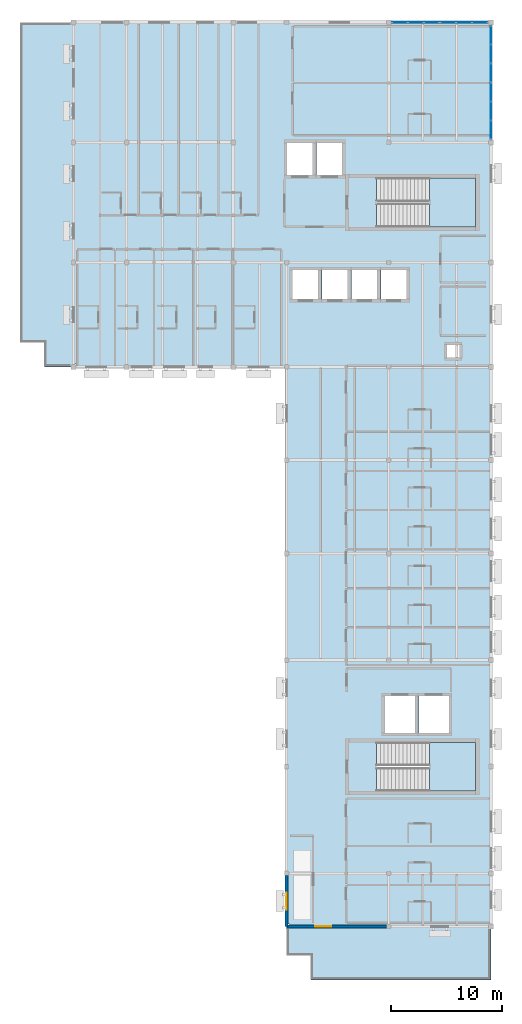
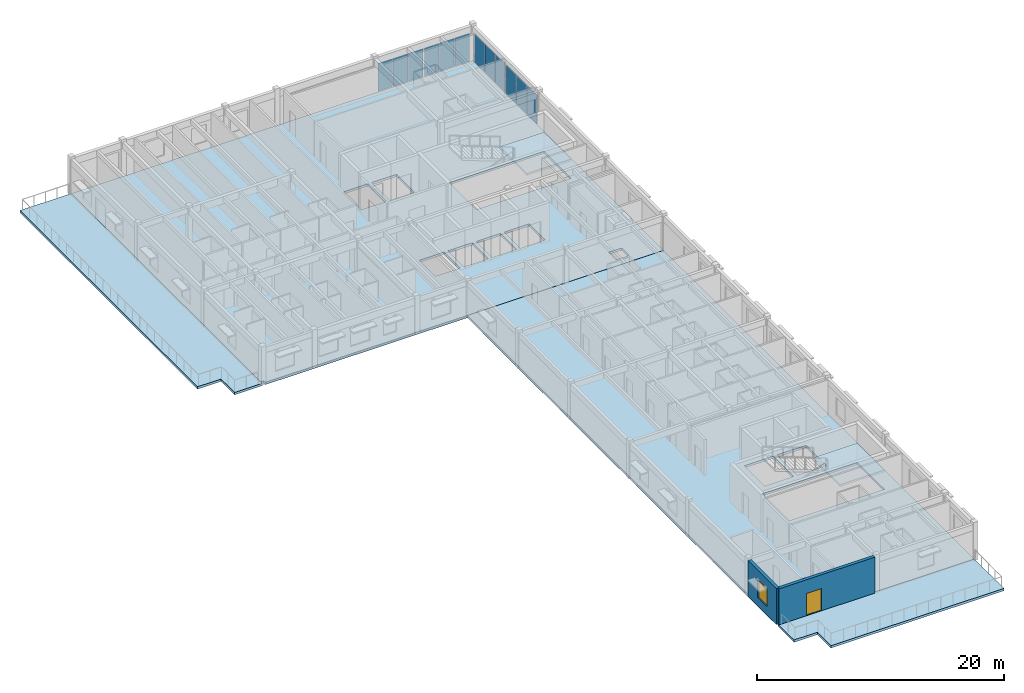
# One storey, part 4 of 15: 12 plates, 6 slabs, 2 walls, 1 door, 1 window, 2 openings, 6 elements without a shape of their own.
"""IFC4 building model written with IfcOpenShell, lengths in metres."""

from ifc_helpers import new_model, si_unit, direction, frame, frame_2d, origin, origin_2d, place, context, subcontext, project, spatial, polyline, rectangle, outline, extrude, material, layer, layer_set, type_object, element, fill, aggregate, save


model = new_model("IFC4")

# Units and contexts
model_context = context("Model", 3, precision=1e-05, world=origin(), true_north=direction((0.0, 1.0)))
body_context = subcontext(model_context, "Body", "Model", "MODEL_VIEW")
ifc_project = project(units=[si_unit("LENGTHUNIT", "METRE"), si_unit("AREAUNIT", "SQUARE_METRE"), si_unit("VOLUMEUNIT", "CUBIC_METRE"), si_unit("PLANEANGLEUNIT", "RADIAN"), si_unit("MASSUNIT", "GRAM", prefix="KILO")], contexts=[model_context])

# Site, building, storey
site_placement = place(None, origin())
site = spatial("IfcSite", under=ifc_project, at=site_placement, CompositionType="ELEMENT")
building_placement = place(site_placement, origin())
building = spatial("IfcBuilding", under=site, at=building_placement, Name="Veldera Park Congress Hotel", CompositionType="ELEMENT")
storey_placement = place(building_placement, frame((0.0, 0.0, 39.0)))
storey = spatial("IfcBuildingStorey", under=building, at=storey_placement, Name="L09", CompositionType="ELEMENT", Elevation=39.0)

# Curtain wall, plates
ifc_material_1 = material(Name="Low-E Triple Insulating Glass Unit (SHGC 0.22)", Category="glass")
curtain_wall_type = type_object("IfcCurtainWallType", Name="CW-HTL", PredefinedType="NOTDEFINED", material=ifc_material_1)
curtain_wall_1_placement = place(storey_placement, origin())
curtain_wall_1 = element("IfcCurtainWall", 1, at=curtain_wall_1_placement, inside=storey, type_object=curtain_wall_type, Name="L09 Curtain Wall CW3-HTLNE-L09-122", PredefinedType="NOTDEFINED")
ifc_layer_1 = layer(ifc_material_1, 0.028076171875)
ifc_layer_set_1 = layer_set([ifc_layer_1], Name="Low-E Triple Insulating Glass Unit (SHGC 0.22)")
plate_type = type_object("IfcPlateType", Name="CWP-IGU28", PredefinedType="CURTAIN_PANEL", material=ifc_layer_set_1)
plate_1_placement = place(storey_placement, frame((84.0, 48.333251953125, 0.06005859375), z_axis=(0.0, 0.0, 1.0), x_axis=(0.0, 1.0, 0.0)))
plate_1 = element("IfcPlate", 2, at=plate_1_placement, type_object=plate_type, Name="CW-HTL panel 1.1", PredefinedType="CURTAIN_PANEL", context=body_context, shape_type="SweptSolid", body=[
    extrude(rectangle(XDim=1.61669921875, YDim=0.028076171875, at=origin_2d()), origin(), (0.0, 0.0, 1.0), 2.860107421875),
])
plate_2_placement = place(storey_placement, frame((84.0, 50.02490234375, 0.06005859375), z_axis=(0.0, 0.0, 1.0), x_axis=(0.0, 1.0, 0.0)))
plate_2 = element("IfcPlate", 3, at=plate_2_placement, type_object=plate_type, Name="CW-HTL panel 2.1", PredefinedType="CURTAIN_PANEL", context=body_context, shape_type="SweptSolid", body=[
    extrude(rectangle(XDim=1.646728515625, YDim=0.028076171875, at=origin_2d()), origin(), (0.0, 0.0, 1.0), 2.860107421875),
])
plate_3_placement = place(storey_placement, frame((84.0, 51.716552734375, 0.06005859375), z_axis=(0.0, 0.0, 1.0), x_axis=(0.0, 1.0, 0.0)))
plate_3 = element("IfcPlate", 4, at=plate_3_placement, type_object=plate_type, Name="CW-HTL panel 3.1", PredefinedType="CURTAIN_PANEL", context=body_context, shape_type="SweptSolid", body=[
    extrude(rectangle(XDim=1.61669921875, YDim=0.028076171875, at=origin_2d()), origin(), (0.0, 0.0, 1.0), 2.860107421875),
])
aggregate(curtain_wall_1, [plate_1, plate_2, plate_3])

curtain_wall_2_placement = place(storey_placement, origin())
curtain_wall_2 = element("IfcCurtainWall", 5, at=curtain_wall_2_placement, inside=storey, type_object=curtain_wall_type, Name="L09 Curtain Wall CW3-HTLNE-L09-123", PredefinedType="NOTDEFINED")
plate_4_placement = place(storey_placement, frame((84.0, 53.4833984375, 0.06005859375), z_axis=(0.0, 0.0, 1.0), x_axis=(0.0, 1.0, 0.0)))
plate_4 = element("IfcPlate", 6, at=plate_4_placement, type_object=plate_type, Name="CW-HTL panel 1.1", PredefinedType="CURTAIN_PANEL", context=body_context, shape_type="SweptSolid", body=[
    extrude(rectangle(XDim=1.61669921875, YDim=0.028076171875, at=origin_2d()), origin(), (0.0, 0.0, 1.0), 2.860107421875),
])
plate_5_placement = place(storey_placement, frame((84.0, 55.175048828125, 0.06005859375), z_axis=(0.0, 0.0, 1.0), x_axis=(0.0, 1.0, 0.0)))
plate_5 = element("IfcPlate", 7, at=plate_5_placement, type_object=plate_type, Name="CW-HTL panel 2.1", PredefinedType="CURTAIN_PANEL", context=body_context, shape_type="SweptSolid", body=[
    extrude(rectangle(XDim=1.646728515625, YDim=0.028076171875, at=origin_2d()), origin(), (0.0, 0.0, 1.0), 2.860107421875),
])
plate_6_placement = place(storey_placement, frame((84.0, 56.86669921875, 0.06005859375), z_axis=(0.0, 0.0, 1.0), x_axis=(0.0, 1.0, 0.0)))
plate_6 = element("IfcPlate", 8, at=plate_6_placement, type_object=plate_type, Name="CW-HTL panel 3.1", PredefinedType="CURTAIN_PANEL", context=body_context, shape_type="SweptSolid", body=[
    extrude(rectangle(XDim=1.61669921875, YDim=0.028076171875, at=origin_2d()), origin(), (0.0, 0.0, 1.0), 2.860107421875),
])
aggregate(curtain_wall_2, [plate_4, plate_5, plate_6])

curtain_wall_3_placement = place(storey_placement, origin())
curtain_wall_3 = element("IfcCurtainWall", 9, at=curtain_wall_3_placement, inside=storey, type_object=curtain_wall_type, Name="L09 Curtain Wall CW3-HTLNN-L09-124", PredefinedType="NOTDEFINED")
plate_7_placement = place(storey_placement, frame((83.0, 58.0, 0.06005859375), z_axis=(0.0, 0.0, 1.0), x_axis=(-1.0, 0.0, 0.0)))
plate_7 = element("IfcPlate", 10, at=plate_7_placement, type_object=plate_type, Name="CW-HTL panel 1.1", PredefinedType="CURTAIN_PANEL", context=body_context, shape_type="SweptSolid", body=[
    extrude(rectangle(XDim=1.35009765625, YDim=0.028076171875, at=origin_2d()), origin(), (0.0, 0.0, 1.0), 2.760009765625),
])
plate_8_placement = place(storey_placement, frame((81.574951171875, 58.0, 0.06005859375), z_axis=(0.0, 0.0, 1.0), x_axis=(-1.0, 0.0, 0.0)))
plate_8 = element("IfcPlate", 11, at=plate_8_placement, type_object=plate_type, Name="CW-HTL panel 2.1", PredefinedType="CURTAIN_PANEL", context=body_context, shape_type="SweptSolid", body=[
    extrude(rectangle(XDim=1.3798828125, YDim=0.028076171875, at=origin_2d()), origin(), (0.0, 0.0, 1.0), 2.760009765625),
])
plate_9_placement = place(storey_placement, frame((80.14990234375, 58.0, 0.06005859375), z_axis=(0.0, 0.0, 1.0), x_axis=(-1.0, 0.0, 0.0)))
plate_9 = element("IfcPlate", 12, at=plate_9_placement, type_object=plate_type, Name="CW-HTL panel 3.1", PredefinedType="CURTAIN_PANEL", context=body_context, shape_type="SweptSolid", body=[
    extrude(rectangle(XDim=1.35009765625, YDim=0.028076171875, at=origin_2d()), origin(), (0.0, 0.0, 1.0), 2.760009765625),
])
aggregate(curtain_wall_3, [plate_7, plate_8, plate_9])

curtain_wall_4_placement = place(storey_placement, origin())
curtain_wall_4 = element("IfcCurtainWall", 13, at=curtain_wall_4_placement, inside=storey, type_object=curtain_wall_type, Name="L09 Curtain Wall CW3-HTLNN-L09-125", PredefinedType="NOTDEFINED")
plate_10_placement = place(storey_placement, frame((78.64990234375, 58.0, 0.06005859375), z_axis=(0.0, 0.0, 1.0), x_axis=(-1.0, 0.0, 0.0)))
plate_10 = element("IfcPlate", 14, at=plate_10_placement, type_object=plate_type, Name="CW-HTL panel 1.1", PredefinedType="CURTAIN_PANEL", context=body_context, shape_type="SweptSolid", body=[
    extrude(rectangle(XDim=1.35009765625, YDim=0.028076171875, at=origin_2d()), origin(), (0.0, 0.0, 1.0), 2.760009765625),
])
plate_11_placement = place(storey_placement, frame((77.22509765625, 58.0, 0.06005859375), z_axis=(0.0, 0.0, 1.0), x_axis=(-1.0, 0.0, 0.0)))
plate_11 = element("IfcPlate", 15, at=plate_11_placement, type_object=plate_type, Name="CW-HTL panel 2.1", PredefinedType="CURTAIN_PANEL", context=body_context, shape_type="SweptSolid", body=[
    extrude(rectangle(XDim=1.3798828125, YDim=0.028076171875, at=origin_2d()), origin(), (0.0, 0.0, 1.0), 2.760009765625),
])
plate_12_placement = place(storey_placement, frame((75.800048828125, 58.0, 0.06005859375), z_axis=(0.0, 0.0, 1.0), x_axis=(-1.0, 0.0, 0.0)))
plate_12 = element("IfcPlate", 16, at=plate_12_placement, type_object=plate_type, Name="CW-HTL panel 3.1", PredefinedType="CURTAIN_PANEL", context=body_context, shape_type="SweptSolid", body=[
    extrude(rectangle(XDim=1.35009765625, YDim=0.028076171875, at=origin_2d()), origin(), (0.0, 0.0, 1.0), 2.760009765625),
])
aggregate(curtain_wall_4, [plate_10, plate_11, plate_12])

# Slabs
ifc_material_2 = material(Name="Cross-laminated timber CLT V2M1.1", Category="wood")
ifc_layer_2 = layer(ifc_material_2, 0.235107421875)
ifc_layer_set_2 = layer_set([ifc_layer_2], Name="Cross-laminated timber CLT V2M1.1")
slab_type_1 = type_object("IfcSlabType", Name="SLB-CLT235", PredefinedType="FLOOR", material=ifc_layer_set_2)
slab_1_placement = place(storey_placement, frame((0.0, 0.0, -0.235107421875)))
element("IfcSlab", 17, at=slab_1_placement, inside=storey, type_object=slab_type_1, Name="L09 Hotel East Wing CLT Floor Deck SLB-L09-V4E", PredefinedType="FLOOR", context=body_context, shape_type="SweptSolid", body=[
    extrude(outline(polyline([(65.60009765625, -23.139892578125), (65.860107421875, -23.139892578125), (65.860107421875, -23.39990234375), (84.0, -23.39990234375), (84.0, 27.0), (65.60009765625, 27.0), (65.60009765625, -23.139892578125)]), holes=[polyline([(73.715087890625, -11.199951171875), (82.60009765625, -11.199951171875), (82.60009765625, -6.800048828125), (73.715087890625, -6.800048828125), (73.715087890625, -11.199951171875)]), polyline([(74.449951171875, -5.949951171875), (77.14990234375, -5.949951171875), (77.14990234375, -2.64990234375), (74.449951171875, -2.64990234375), (74.449951171875, -5.949951171875)]), polyline([(77.5, -5.949951171875), (80.199951171875, -5.949951171875), (80.199951171875, -2.64990234375), (77.5, -2.64990234375), (77.5, -5.949951171875)])]), origin(), (0.0, 0.0, 1.0), 0.235107421875),
])
slab_2_placement = place(storey_placement, frame((0.0, 0.0, -0.235107421875)))
element("IfcSlab", 18, at=slab_2_placement, inside=storey, type_object=slab_type_1, Name="L09 Hotel North Wing CLT Floor Deck SLB-L09-V4N", PredefinedType="FLOOR", context=body_context, shape_type="SweptSolid", body=[
    extrude(outline(polyline([(46.39990234375, 27.260009765625), (46.659912109375, 27.260009765625), (46.659912109375, 27.0), (84.0, 27.0), (84.0, 58.0), (46.39990234375, 58.0), (46.39990234375, 27.260009765625)]), holes=[polyline([(73.715087890625, 39.60009765625), (82.60009765625, 39.60009765625), (82.60009765625, 44.0), (73.715087890625, 44.0), (73.715087890625, 39.60009765625)]), polyline([(65.64990234375, 44.25), (67.949951171875, 44.25), (67.949951171875, 47.14990234375), (65.64990234375, 47.14990234375), (65.64990234375, 44.25)]), polyline([(68.300048828125, 44.25), (70.60009765625, 44.25), (70.60009765625, 47.14990234375), (68.300048828125, 47.14990234375), (68.300048828125, 44.25)]), polyline([(66.14990234375, 33.10009765625), (68.449951171875, 33.10009765625), (68.449951171875, 35.699951171875), (66.14990234375, 35.699951171875), (66.14990234375, 33.10009765625)]), polyline([(68.800048828125, 33.10009765625), (71.10009765625, 33.10009765625), (71.10009765625, 35.699951171875), (68.800048828125, 35.699951171875), (68.800048828125, 33.10009765625)]), polyline([(71.449951171875, 33.10009765625), (73.75, 33.10009765625), (73.75, 35.699951171875), (71.449951171875, 35.699951171875), (71.449951171875, 33.10009765625)]), polyline([(74.10009765625, 33.10009765625), (76.39990234375, 33.10009765625), (76.39990234375, 35.699951171875), (74.10009765625, 35.699951171875), (74.10009765625, 33.10009765625)]), polyline([(80.0, 27.800048828125), (81.199951171875, 27.800048828125), (81.199951171875, 29.0), (80.0, 29.0), (80.0, 27.800048828125)])]), origin(), (0.0, 0.0, 1.0), 0.235107421875),
])
ifc_material_3 = material(Name="Concrete f'c 40 MPa (5,800 psi)", Category="concrete")
ifc_layer_3 = layer(ifc_material_3, 0.235107421875)
ifc_layer_set_3 = layer_set([ifc_layer_3], Name="Concrete f'c 40 MPa (5,800 psi)")
slab_type_2 = type_object("IfcSlabType", Name="SLB-TER235", PredefinedType="FLOOR", material=ifc_layer_set_3)
slab_3_placement = place(storey_placement, frame((0.0, 0.0, -0.235107421875)))
element("IfcSlab", 19, at=slab_3_placement, inside=storey, type_object=slab_type_2, Name="L09 Stepped Hotel Terrace SLB-TER-L09-S", PredefinedType="FLOOR", context=body_context, shape_type="SweptSolid", body=[
    extrude(outline(polyline([(65.60009765625, -26.0), (67.800048828125, -26.0), (67.800048828125, -28.199951171875), (84.0, -28.199951171875), (84.0, -23.39990234375), (65.60009765625, -23.39990234375), (65.60009765625, -26.0)])), origin(), (0.0, 0.0, 1.0), 0.235107421875),
])
slab_4_placement = place(storey_placement, frame((0.0, 0.0, -0.235107421875)))
element("IfcSlab", 20, at=slab_4_placement, inside=storey, type_object=slab_type_2, Name="L09 Stepped Hotel Terrace SLB-TER-L09-N", PredefinedType="FLOOR", context=body_context, shape_type="SweptSolid", body=[
    extrude(outline(polyline([(41.60009765625, 29.199951171875), (43.800048828125, 29.199951171875), (43.800048828125, 27.0), (46.39990234375, 27.0), (46.39990234375, 58.0), (41.60009765625, 58.0), (41.60009765625, 29.199951171875)])), origin(), (0.0, 0.0, 1.0), 0.235107421875),
])

# Stair, slab
stair_type_1 = type_object("IfcStairType", Name="ST1", PredefinedType="HALF_TURN_STAIR", material=ifc_material_3)
stair_1_placement = place(storey_placement, origin())
stair_1 = element("IfcStair", 21, at=stair_1_placement, inside=storey, type_object=stair_type_1, Name="L09 Protected Exit Stair ST1", PredefinedType="HALF_TURN_STAIR")
ifc_layer_4 = layer(ifc_material_3, 0.199951171875)
ifc_layer_set_4 = layer_set([ifc_layer_4], Name="Concrete f'c 40 MPa (5,800 psi)")
slab_type_3 = type_object("IfcSlabType", Name="SLD-ST1", PredefinedType="LANDING", material=ifc_layer_set_4)
slab_5_placement = place(storey_placement, frame((0.0, 0.0, 1.699951171875)))
slab_5 = element("IfcSlab", 22, at=slab_5_placement, type_object=slab_type_3, Name="ST1 landing 1", PredefinedType="LANDING", context=body_context, shape_type="SweptSolid", body=[
    extrude(outline(polyline([(78.445068359375, 39.60009765625), (82.60009765625, 39.60009765625), (82.60009765625, 44.0), (78.445068359375, 44.0), (78.445068359375, 39.60009765625)])), origin(), (0.0, 0.0, 1.0), 0.199951171875),
])
aggregate(stair_1, [slab_5])

stair_type_2 = type_object("IfcStairType", Name="ST2", PredefinedType="HALF_TURN_STAIR", material=ifc_material_3)
stair_2_placement = place(storey_placement, origin())
stair_2 = element("IfcStair", 23, at=stair_2_placement, inside=storey, type_object=stair_type_2, Name="L09 Protected Exit Stair ST2", PredefinedType="HALF_TURN_STAIR")
ifc_layer_5 = layer(ifc_material_3, 0.199951171875)
ifc_layer_set_5 = layer_set([ifc_layer_5], Name="Concrete f'c 40 MPa (5,800 psi)")
slab_type_4 = type_object("IfcSlabType", Name="SLD-ST2", PredefinedType="LANDING", material=ifc_layer_set_5)
slab_6_placement = place(storey_placement, frame((0.0, 0.0, 1.699951171875)))
slab_6 = element("IfcSlab", 24, at=slab_6_placement, type_object=slab_type_4, Name="ST2 landing 1", PredefinedType="LANDING", context=body_context, shape_type="SweptSolid", body=[
    extrude(outline(polyline([(78.445068359375, -11.199951171875), (82.60009765625, -11.199951171875), (82.60009765625, -6.800048828125), (78.445068359375, -6.800048828125), (78.445068359375, -11.199951171875)])), origin(), (0.0, 0.0, 1.0), 0.199951171875),
])
aggregate(stair_2, [slab_6])

# Wall, opening, door
ifc_layer_6 = layer(ifc_material_2, 0.280029296875)
ifc_layer_set_6 = layer_set([ifc_layer_6], Name="Cross-laminated timber CLT V2M1.1")
wall_type = type_object("IfcWallType", Name="EW-CLT280", PredefinedType="STANDARD", material=ifc_layer_set_6)
wall_1_placement = place(storey_placement, frame((65.60009765625, -23.39990234375, 0.0), z_axis=(0.0, 0.0, 1.0), x_axis=(1.0, 0.0, 0.0)))
wall_1 = element("IfcWall", 25, at=wall_1_placement, inside=storey, type_object=wall_type, Name="L09 Exterior Wall EW3-L09-0397", PredefinedType="STANDARD", context=body_context, shape_type="SweptSolid", body=[
    extrude(rectangle(XDim=8.991943359375, YDim=0.280029296875, at=frame_2d((4.49609375, 0.0))), origin(), (0.0, 0.0, 1.0), 3.56494140625),
])
opening_1_placement = place(wall_1_placement, frame((2.60009765625, 0.0, 0.0)))
opening_1 = element("IfcOpeningElement", 26, at=opening_1_placement, cuts=wall_1, Name="Opening ED-TER140", PredefinedType="OPENING", context=body_context, shape_type="SweptSolid", body=[
    extrude(rectangle(XDim=1.39990234375, YDim=2.199951171875, at=frame_2d((0.699951171875, 1.10009765625))), frame((0.0, 0.152099609375, 0.0), z_axis=(0.0, -1.0, 0.0), x_axis=(1.0, 0.0, 0.0)), (0.0, 0.0, 1.0), 0.303955078125),
])
ifc_material_4 = material(Name="Anodised Aluminium Alloy 6063-T6", Category="aluminium")
door_type = type_object("IfcDoorType", Name="ED-TER140", OperationType="DOUBLE_DOOR_SINGLE_SWING", PredefinedType="DOOR", material=ifc_material_4)
door_placement = place(opening_1_placement, frame((1.39990234375, 0.0, 0.0), z_axis=(0.0, 0.0, 1.0), x_axis=(-1.0, 0.0, 0.0)))
door = element("IfcDoor", 27, at=door_placement, inside=storey, type_object=door_type, Name="Exterior Door TD-L09-S (DR3-EXT-L09-0028)", OperationType="DOUBLE_DOOR_SINGLE_SWING", OverallHeight=2.199951171875, OverallWidth=1.39990234375, PredefinedType="DOOR", context=body_context, shape_type="SweptSolid", body=[
    extrude(rectangle(XDim=1.39990234375, YDim=2.199951171875, at=frame_2d((0.699951171875, 1.10009765625))), frame((0.0, 0.02490234375, 0.0), z_axis=(0.0, -1.0, 0.0), x_axis=(1.0, 0.0, 0.0)), (0.0, 0.0, 1.0), 0.050048828125),
])
fill(opening_1, door)

# Wall, opening, window
wall_2_placement = place(storey_placement, frame((65.60009765625, -18.80810546875, 0.0), z_axis=(0.0, 0.0, 1.0), x_axis=(0.0, -1.0, 0.0)))
wall_2 = element("IfcWall", 28, at=wall_2_placement, inside=storey, type_object=wall_type, Name="L09 Exterior Wall EW3-L09-0422", PredefinedType="STANDARD", context=body_context, shape_type="SweptSolid", body=[
    extrude(rectangle(XDim=4.591796875, YDim=0.280029296875, at=frame_2d((2.2958984375, 0.0))), origin(), (0.0, 0.0, 1.0), 3.56494140625),
])
opening_2_placement = place(wall_2_placement, frame((1.5458984375, 0.0, 0.85009765625)))
opening_2 = element("IfcOpeningElement", 29, at=opening_2_placement, cuts=wall_2, Name="Opening WIN-1500", PredefinedType="OPENING", context=body_context, shape_type="SweptSolid", body=[
    extrude(rectangle(XDim=1.5, YDim=1.75, at=frame_2d((0.75, 0.875))), frame((0.0, 0.152099609375, 0.0), z_axis=(0.0, -1.0, 0.0), x_axis=(1.0, 0.0, 0.0)), (0.0, 0.0, 1.0), 0.303955078125),
])
window_type = type_object("IfcWindowType", Name="WIN-1500", PartitioningType="SINGLE_PANEL", PredefinedType="WINDOW", material=ifc_material_1)
window_placement = place(opening_2_placement, origin())
window = element("IfcWindow", 30, at=window_placement, inside=storey, type_object=window_type, Name="L09 Window WIN-1500 325", OverallHeight=1.75, OverallWidth=1.5, PartitioningType="SINGLE_PANEL", PredefinedType="WINDOW", context=body_context, shape_type="SweptSolid", body=[
    extrude(rectangle(XDim=1.5, YDim=1.75, at=frame_2d((0.75, 0.875))), frame((0.0, 0.030029296875, 0.0), z_axis=(0.0, -1.0, 0.0), x_axis=(1.0, 0.0, 0.0)), (0.0, 0.0, 1.0), 0.06005859375),
])
fill(opening_2, window)

save(model, "model.ifc")
